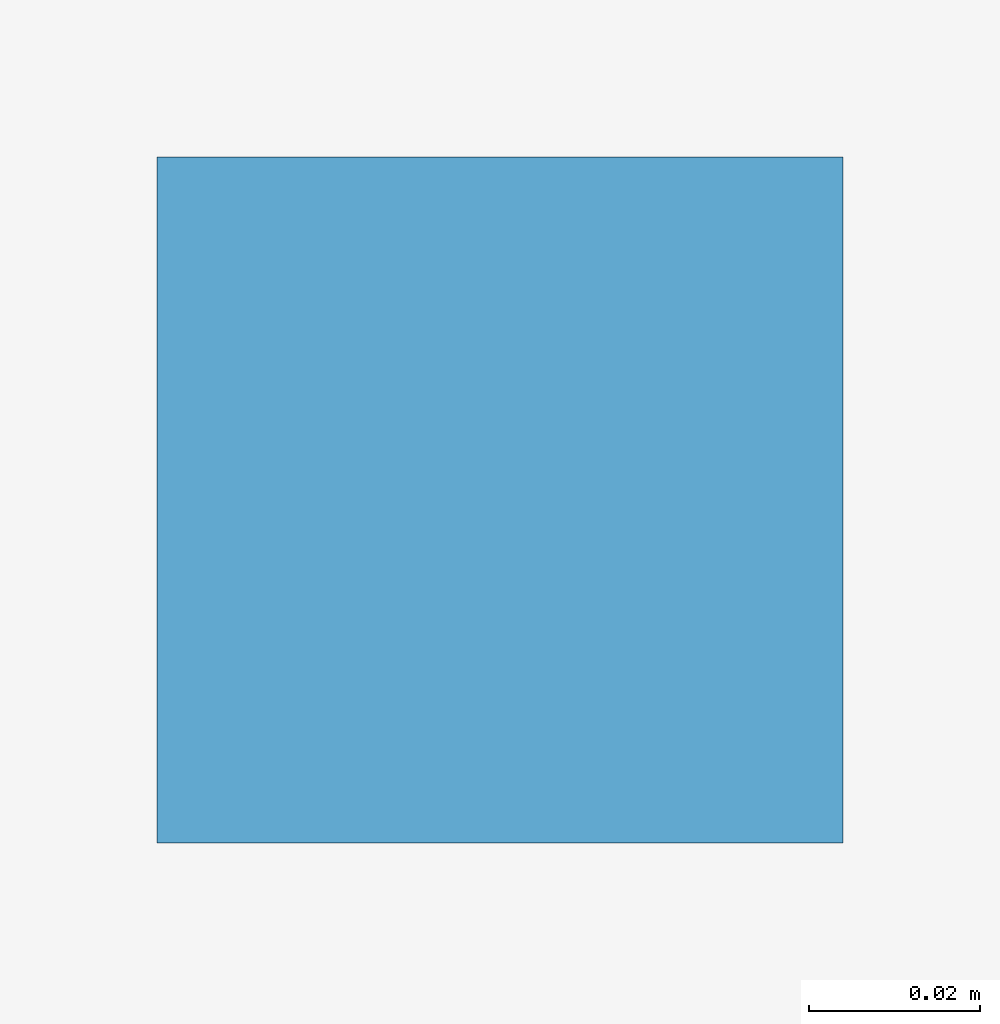
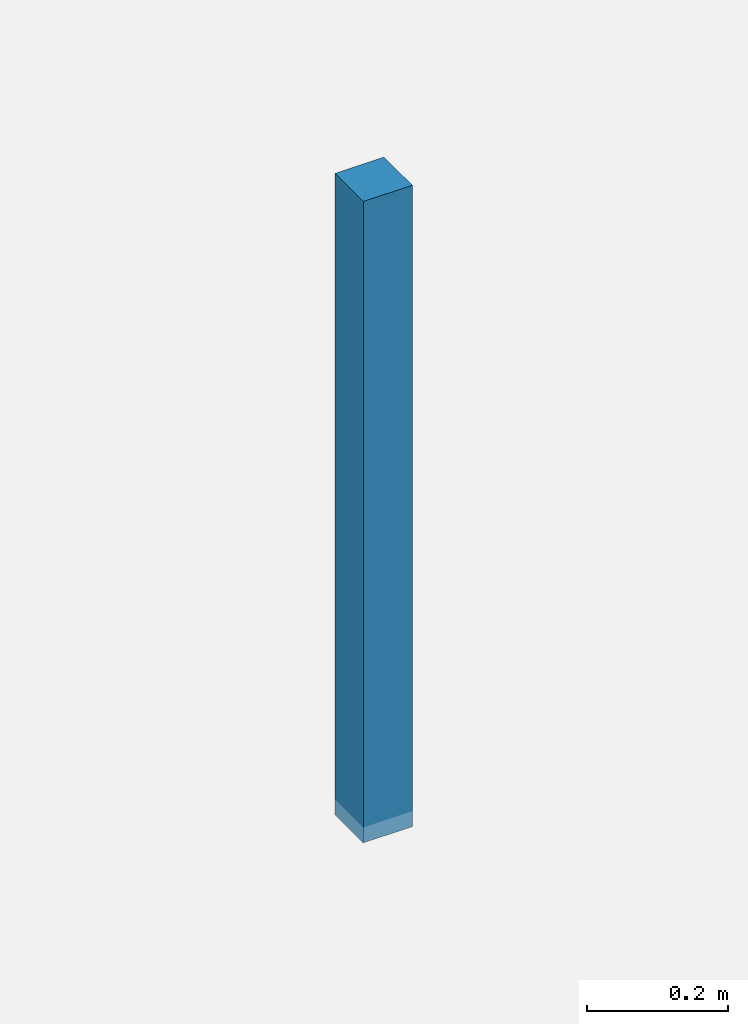
# One storey, part 107 of 114: 1 discrete accessory.
"""IFC4 building model written with IfcOpenShell, lengths in metres."""

from ifc_helpers import new_model, si_unit, direction, frame, origin, origin_2d, place, context, subcontext, project, spatial, rectangle, extrude, material, type_object, element, save


model = new_model("IFC4")

# Units and contexts
model_context = context("Model", 3, precision=1e-05, world=origin(), true_north=direction((0.0, 1.0)))
body_context = subcontext(model_context, "Body", "Model", "MODEL_VIEW")
ifc_project = project(units=[si_unit("LENGTHUNIT", "METRE"), si_unit("AREAUNIT", "SQUARE_METRE"), si_unit("VOLUMEUNIT", "CUBIC_METRE"), si_unit("PLANEANGLEUNIT", "RADIAN"), si_unit("MASSUNIT", "GRAM", prefix="KILO")], contexts=[model_context])

# Site, building, storey
site_placement = place(None, origin())
site = spatial("IfcSite", under=ifc_project, at=site_placement, CompositionType="ELEMENT")
building_placement = place(site_placement, origin())
building = spatial("IfcBuilding", under=site, at=building_placement, Name="Chalmorin Arch Market", CompositionType="ELEMENT")
storey_placement = place(building_placement, frame((0.0, 0.0, 9.60009765625)))
storey = spatial("IfcBuildingStorey", under=building, at=storey_placement, Name="L02", CompositionType="ELEMENT", Elevation=9.60009765625)

# Discrete accessory
ifc_material = material(Name="Galvanized Cold-Formed Steel", Category="steel")
discrete_accessory_type = type_object("IfcDiscreteAccessoryType", Name="CeilingSuspensionBracket-80x80", PredefinedType="BRACKET", material=ifc_material)
discrete_accessory_placement = place(storey_placement, frame((61.449951171875, 81.14990234375, 3.202880859375), z_axis=(0.0, 0.0, 1.0), x_axis=(1.0, 0.0, 0.0)))
element("IfcDiscreteAccessory", 1, at=discrete_accessory_placement, inside=storey, type_object=discrete_accessory_type, Name="CSB-227", PredefinedType="BRACKET", context=body_context, shape_type="SweptSolid", body=[
    extrude(rectangle(XDim=0.080078125, YDim=0.080078125, at=origin_2d()), origin(), (0.0, 0.0, 1.0), 1.10693359375),
])

save(model, "model.ifc")
